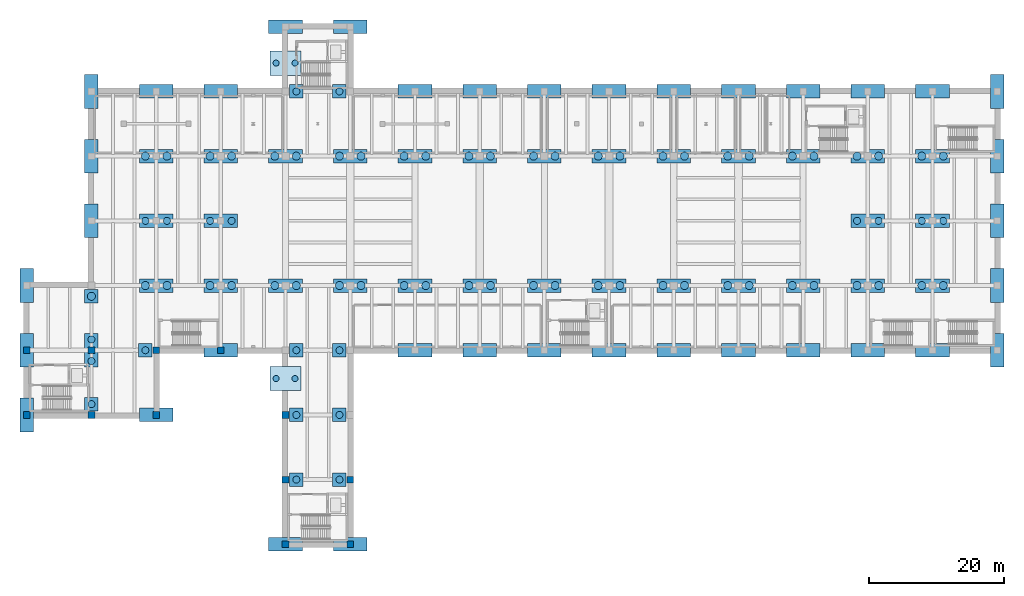
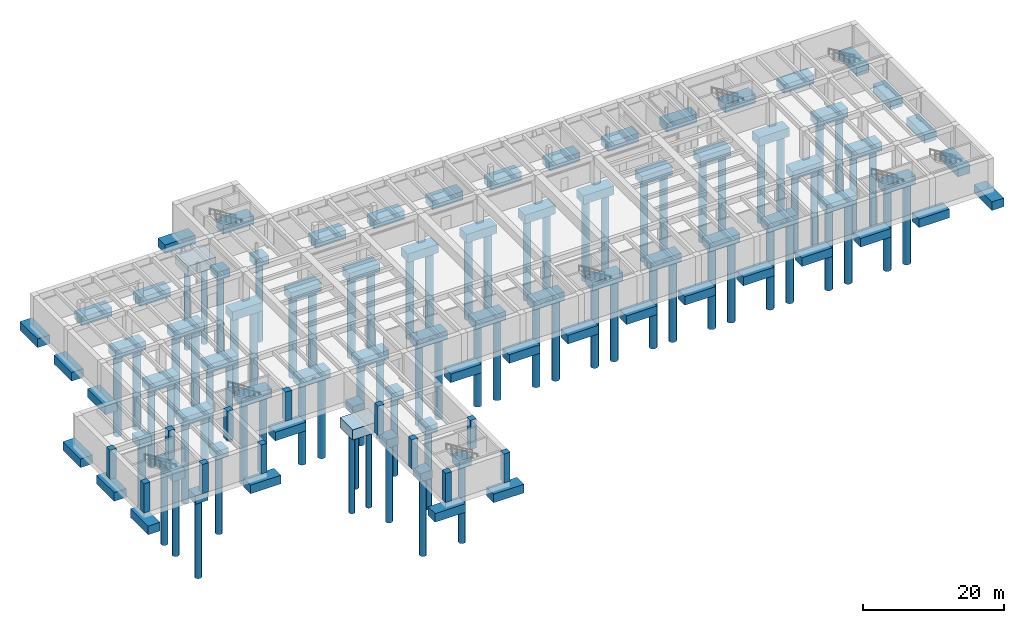
# One storey, part 1 of 24: 81 footings, 77 piles, 12 columns.
"""IFC4 building model written with IfcOpenShell, lengths in metres."""

from ifc_helpers import new_model, si_unit, direction, frame, origin, origin_2d, place, context, subcontext, project, spatial, rectangle, circle, extrude, material, material_profile, profile_set, type_object, element, save


model = new_model("IFC4")

# Units and contexts
model_context = context("Model", 3, precision=1e-05, world=origin(), true_north=direction((0.0, 1.0)))
body_context = subcontext(model_context, "Body", "Model", "MODEL_VIEW")
ifc_project = project(units=[si_unit("LENGTHUNIT", "METRE"), si_unit("AREAUNIT", "SQUARE_METRE"), si_unit("VOLUMEUNIT", "CUBIC_METRE"), si_unit("PLANEANGLEUNIT", "RADIAN"), si_unit("MASSUNIT", "GRAM", prefix="KILO")], contexts=[model_context])

# Site, building, storey
site_placement = place(None, origin())
site = spatial("IfcSite", under=ifc_project, at=site_placement, CompositionType="ELEMENT")
building_placement = place(site_placement, origin())
building = spatial("IfcBuilding", under=site, at=building_placement, Name="Coralgate Yard Interchange", CompositionType="ELEMENT")
storey_placement = place(building_placement, frame((0.0, 0.0, -10.800048828125)))
storey = spatial("IfcBuildingStorey", under=building, at=storey_placement, Name="B2", CompositionType="ELEMENT", Elevation=-10.800048828125)

# Footings
ifc_material_1 = material(Name="Concrete C40/50", Category="concrete")
footing_type_1 = type_object("IfcFootingType", Name="FTG-PC-1A", PredefinedType="PILE_CAP", material=ifc_material_1)
for number, where, z_axis, x_axis, name in (
    (1, (19.199951171875, 30.39990234375, -2.35009765625), (0.0, 0.0, 1.0), (1.0, 0.0, 0.0), "B2 sub-raft pile cap 2-3"),
    (2, (19.199951171875, 46.39990234375, -2.35009765625), (0.0, 0.0, 1.0), (1.0, 0.0, 0.0), "B2 sub-raft pile cap 2-5"),
    (3, (27.199951171875, 38.39990234375, -2.35009765625), (0.0, 0.0, 1.0), (1.0, 0.0, 0.0), "B2 sub-raft pile cap 3-4"),
    (4, (49.60009765625, 19.199951171875, -2.35009765625), (0.0, 0.0, 1.0), (1.0, 0.0, 0.0), "B2 sub-raft pile cap 5-2"),
    (5, (49.60009765625, 28.800048828125, -2.35009765625), (0.0, 0.0, 1.0), (1.0, 0.0, 0.0), "B2 sub-raft pile cap 5-3"),
    (6, (49.60009765625, 38.39990234375, -2.35009765625), (0.0, 0.0, 1.0), (1.0, 0.0, 0.0), "B2 sub-raft pile cap 5-4"),
    (7, (49.60009765625, 76.800048828125, -2.35009765625), (0.0, 0.0, 1.0), (1.0, 0.0, 0.0), "B2 sub-raft pile cap 5-8"),
    (8, (56.0, 19.199951171875, -2.35009765625), (0.0, 0.0, 1.0), (1.0, 0.0, 0.0), "B2 sub-raft pile cap 6-2"),
    (9, (56.0, 28.800048828125, -2.35009765625), (0.0, 0.0, 1.0), (1.0, 0.0, 0.0), "B2 sub-raft pile cap 6-3"),
    (10, (56.0, 38.39990234375, -2.35009765625), (0.0, 0.0, 1.0), (1.0, 0.0, 0.0), "B2 sub-raft pile cap 6-4"),
    (11, (56.0, 76.800048828125, -2.35009765625), (0.0, 0.0, 1.0), (1.0, 0.0, 0.0), "B2 sub-raft pile cap 6-8"),
):
    element("IfcFooting", number, at=place(storey_placement, frame(where, z_axis=z_axis, x_axis=x_axis)), inside=storey, type_object=footing_type_1, Name=name, PredefinedType="PILE_CAP", context=body_context, shape_type="SweptSolid", body=[
        extrude(rectangle(XDim=2.0, YDim=2.0, at=origin_2d()), origin(), (0.0, 0.0, 1.0), 1.449951171875),
    ])
footing_type_2 = type_object("IfcFootingType", Name="FTG-PC-6B", PredefinedType="PILE_CAP", material=ifc_material_1)
for number, where, z_axis, x_axis, name in (
    (12, (48.0, 34.199951171875, -2.64990234375), (0.0, 0.0, 1.0), (1.0, 0.0, 0.0), "Arch AR-1 S thrust pile cap"),
    (13, (48.0, 81.0, -2.64990234375), (0.0, 0.0, 1.0), (1.0, 0.0, 0.0), "Arch AR-1 N thrust pile cap"),
):
    element("IfcFooting", number, at=place(storey_placement, frame(where, z_axis=z_axis, x_axis=x_axis)), inside=storey, type_object=footing_type_2, Name=name, PredefinedType="PILE_CAP", context=body_context, shape_type="SweptSolid", body=[
        extrude(rectangle(XDim=4.60009765625, YDim=3.60009765625, at=origin_2d()), origin(), (0.0, 0.0, 1.0), 1.75),
    ])
footing_type_3 = type_object("IfcFootingType", Name="FTG-PC-8A", PredefinedType="PILE_CAP", material=ifc_material_1)
for number, where, z_axis, x_axis, name in (
    (14, (28.800048828125, 28.800048828125, -2.39990234375), (0.0, 0.0, 1.0), (1.0, 0.0, 0.0), "B2 sub-raft pile cap 3-3"),
    (15, (28.800048828125, 48.0, -2.39990234375), (0.0, 0.0, 1.0), (1.0, 0.0, 0.0), "B2 sub-raft pile cap 3-5"),
    (16, (28.800048828125, 57.60009765625, -2.39990234375), (0.0, 0.0, 1.0), (1.0, 0.0, 0.0), "B2 sub-raft pile cap 3-6"),
    (17, (28.800048828125, 67.199951171875, -2.39990234375), (0.0, 0.0, 1.0), (1.0, 0.0, 0.0), "B2 sub-raft pile cap 3-7"),
    (18, (28.800048828125, 76.800048828125, -2.39990234375), (0.0, 0.0, 1.0), (1.0, 0.0, 0.0), "B2 sub-raft pile cap 3-8"),
    (19, (38.39990234375, 38.39990234375, -2.39990234375), (0.0, 0.0, 1.0), (1.0, 0.0, 0.0), "B2 sub-raft pile cap 4-4"),
    (20, (38.39990234375, 48.0, -2.39990234375), (0.0, 0.0, 1.0), (1.0, 0.0, 0.0), "B2 sub-raft pile cap 4-5"),
    (21, (38.39990234375, 57.60009765625, -2.39990234375), (0.0, 0.0, 1.0), (1.0, 0.0, 0.0), "B2 sub-raft pile cap 4-6"),
    (22, (38.39990234375, 67.199951171875, -2.39990234375), (0.0, 0.0, 1.0), (1.0, 0.0, 0.0), "B2 sub-raft pile cap 4-7"),
    (23, (38.39990234375, 76.800048828125, -2.39990234375), (0.0, 0.0, 1.0), (1.0, 0.0, 0.0), "B2 sub-raft pile cap 4-8"),
    (24, (48.0, 9.60009765625, -2.39990234375), (0.0, 0.0, 1.0), (1.0, 0.0, 0.0), "B2 sub-raft pile cap 5-1"),
    (25, (48.0, 48.0, -2.39990234375), (0.0, 0.0, 1.0), (1.0, 0.0, 0.0), "B2 sub-raft pile cap 5-5"),
    (26, (48.0, 67.199951171875, -2.39990234375), (0.0, 0.0, 1.0), (1.0, 0.0, 0.0), "B2 sub-raft pile cap 5-7"),
    (27, (48.0, 86.39990234375, -2.39990234375), (0.0, 0.0, 1.0), (1.0, 0.0, 0.0), "B2 sub-raft pile cap 5-9"),
    (28, (57.60009765625, 9.60009765625, -2.39990234375), (0.0, 0.0, 1.0), (1.0, 0.0, 0.0), "B2 sub-raft pile cap 6-1"),
    (29, (57.60009765625, 48.0, -2.39990234375), (0.0, 0.0, 1.0), (1.0, 0.0, 0.0), "B2 sub-raft pile cap 6-5"),
    (30, (57.60009765625, 67.199951171875, -2.39990234375), (0.0, 0.0, 1.0), (1.0, 0.0, 0.0), "B2 sub-raft pile cap 6-7"),
    (31, (57.60009765625, 86.39990234375, -2.39990234375), (0.0, 0.0, 1.0), (1.0, 0.0, 0.0), "B2 sub-raft pile cap 6-9"),
    (32, (67.199951171875, 38.39990234375, -2.39990234375), (0.0, 0.0, 1.0), (1.0, 0.0, 0.0), "B2 sub-raft pile cap 7-4"),
    (33, (67.199951171875, 48.0, -2.39990234375), (0.0, 0.0, 1.0), (1.0, 0.0, 0.0), "B2 sub-raft pile cap 7-5"),
    (34, (67.199951171875, 67.199951171875, -2.39990234375), (0.0, 0.0, 1.0), (1.0, 0.0, 0.0), "B2 sub-raft pile cap 7-7"),
    (35, (67.199951171875, 76.800048828125, -2.39990234375), (0.0, 0.0, 1.0), (1.0, 0.0, 0.0), "B2 sub-raft pile cap 7-8"),
    (36, (76.800048828125, 38.39990234375, -2.39990234375), (0.0, 0.0, 1.0), (1.0, 0.0, 0.0), "B2 sub-raft pile cap 8-4"),
    (37, (76.800048828125, 48.0, -2.39990234375), (0.0, 0.0, 1.0), (1.0, 0.0, 0.0), "B2 sub-raft pile cap 8-5"),
    (38, (76.800048828125, 67.199951171875, -2.39990234375), (0.0, 0.0, 1.0), (1.0, 0.0, 0.0), "B2 sub-raft pile cap 8-7"),
    (39, (76.800048828125, 76.800048828125, -2.39990234375), (0.0, 0.0, 1.0), (1.0, 0.0, 0.0), "B2 sub-raft pile cap 8-8"),
    (40, (86.39990234375, 38.39990234375, -2.39990234375), (0.0, 0.0, 1.0), (1.0, 0.0, 0.0), "B2 sub-raft pile cap 9-4"),
    (41, (86.39990234375, 48.0, -2.39990234375), (0.0, 0.0, 1.0), (1.0, 0.0, 0.0), "B2 sub-raft pile cap 9-5"),
    (42, (86.39990234375, 67.199951171875, -2.39990234375), (0.0, 0.0, 1.0), (1.0, 0.0, 0.0), "B2 sub-raft pile cap 9-7"),
    (43, (86.39990234375, 76.800048828125, -2.39990234375), (0.0, 0.0, 1.0), (1.0, 0.0, 0.0), "B2 sub-raft pile cap 9-8"),
    (44, (96.0, 38.39990234375, -2.39990234375), (0.0, 0.0, 1.0), (1.0, 0.0, 0.0), "B2 sub-raft pile cap 10-4"),
    (45, (96.0, 48.0, -2.39990234375), (0.0, 0.0, 1.0), (1.0, 0.0, 0.0), "B2 sub-raft pile cap 10-5"),
    (46, (96.0, 67.199951171875, -2.39990234375), (0.0, 0.0, 1.0), (1.0, 0.0, 0.0), "B2 sub-raft pile cap 10-7"),
    (47, (96.0, 76.800048828125, -2.39990234375), (0.0, 0.0, 1.0), (1.0, 0.0, 0.0), "B2 sub-raft pile cap 10-8"),
    (48, (105.60009765625, 38.39990234375, -2.39990234375), (0.0, 0.0, 1.0), (1.0, 0.0, 0.0), "B2 sub-raft pile cap 11-4"),
    (49, (105.60009765625, 48.0, -2.39990234375), (0.0, 0.0, 1.0), (1.0, 0.0, 0.0), "B2 sub-raft pile cap 11-5"),
    (50, (105.60009765625, 67.199951171875, -2.39990234375), (0.0, 0.0, 1.0), (1.0, 0.0, 0.0), "B2 sub-raft pile cap 11-7"),
    (51, (105.60009765625, 76.800048828125, -2.39990234375), (0.0, 0.0, 1.0), (1.0, 0.0, 0.0), "B2 sub-raft pile cap 11-8"),
    (52, (115.199951171875, 38.39990234375, -2.39990234375), (0.0, 0.0, 1.0), (1.0, 0.0, 0.0), "B2 sub-raft pile cap 12-4"),
    (53, (115.199951171875, 48.0, -2.39990234375), (0.0, 0.0, 1.0), (1.0, 0.0, 0.0), "B2 sub-raft pile cap 12-5"),
    (54, (115.199951171875, 67.199951171875, -2.39990234375), (0.0, 0.0, 1.0), (1.0, 0.0, 0.0), "B2 sub-raft pile cap 12-7"),
    (55, (115.199951171875, 76.800048828125, -2.39990234375), (0.0, 0.0, 1.0), (1.0, 0.0, 0.0), "B2 sub-raft pile cap 12-8"),
    (56, (124.800048828125, 38.39990234375, -2.39990234375), (0.0, 0.0, 1.0), (1.0, 0.0, 0.0), "B2 sub-raft pile cap 13-4"),
    (57, (124.800048828125, 48.0, -2.39990234375), (0.0, 0.0, 1.0), (1.0, 0.0, 0.0), "B2 sub-raft pile cap 13-5"),
    (58, (124.800048828125, 67.199951171875, -2.39990234375), (0.0, 0.0, 1.0), (1.0, 0.0, 0.0), "B2 sub-raft pile cap 13-7"),
    (59, (124.800048828125, 76.800048828125, -2.39990234375), (0.0, 0.0, 1.0), (1.0, 0.0, 0.0), "B2 sub-raft pile cap 13-8"),
    (60, (134.39990234375, 38.39990234375, -2.39990234375), (0.0, 0.0, 1.0), (1.0, 0.0, 0.0), "B2 sub-raft pile cap 14-4"),
    (61, (134.39990234375, 48.0, -2.39990234375), (0.0, 0.0, 1.0), (1.0, 0.0, 0.0), "B2 sub-raft pile cap 14-5"),
    (62, (134.39990234375, 57.60009765625, -2.39990234375), (0.0, 0.0, 1.0), (1.0, 0.0, 0.0), "B2 sub-raft pile cap 14-6"),
    (63, (134.39990234375, 67.199951171875, -2.39990234375), (0.0, 0.0, 1.0), (1.0, 0.0, 0.0), "B2 sub-raft pile cap 14-7"),
    (64, (134.39990234375, 76.800048828125, -2.39990234375), (0.0, 0.0, 1.0), (1.0, 0.0, 0.0), "B2 sub-raft pile cap 14-8"),
    (65, (144.0, 38.39990234375, -2.39990234375), (0.0, 0.0, 1.0), (1.0, 0.0, 0.0), "B2 sub-raft pile cap 15-4"),
    (66, (144.0, 48.0, -2.39990234375), (0.0, 0.0, 1.0), (1.0, 0.0, 0.0), "B2 sub-raft pile cap 15-5"),
    (67, (144.0, 57.60009765625, -2.39990234375), (0.0, 0.0, 1.0), (1.0, 0.0, 0.0), "B2 sub-raft pile cap 15-6"),
    (68, (144.0, 67.199951171875, -2.39990234375), (0.0, 0.0, 1.0), (1.0, 0.0, 0.0), "B2 sub-raft pile cap 15-7"),
    (69, (144.0, 76.800048828125, -2.39990234375), (0.0, 0.0, 1.0), (1.0, 0.0, 0.0), "B2 sub-raft pile cap 15-8"),
):
    element("IfcFooting", number, at=place(storey_placement, frame(where, z_axis=z_axis, x_axis=x_axis)), inside=storey, type_object=footing_type_3, Name=name, PredefinedType="PILE_CAP", context=body_context, shape_type="SweptSolid", body=[
        extrude(rectangle(XDim=5.0, YDim=2.0, at=origin_2d()), origin(), (0.0, 0.0, 1.0), 1.5),
    ])
footing_type_4 = type_object("IfcFootingType", Name="FTG-PC-8B", PredefinedType="PILE_CAP", material=ifc_material_1)
for number, where, z_axis, x_axis, name in (
    (70, (9.60009765625, 28.800048828125, -2.39990234375), (0.0, 0.0, 1.0), (1.0, 0.0, 0.0), "B2 sub-raft pile cap 1-3"),
    (71, (9.60009765625, 38.39990234375, -2.39990234375), (0.0, 0.0, 1.0), (1.0, 0.0, 0.0), "B2 sub-raft pile cap 1-4"),
    (72, (9.60009765625, 48.0, -2.39990234375), (0.0, 0.0, 1.0), (1.0, 0.0, 0.0), "B2 sub-raft pile cap 1-5"),
    (73, (19.199951171875, 38.39990234375, -2.39990234375), (0.0, 0.0, 1.0), (1.0, 0.0, 0.0), "B2 sub-raft pile cap 2-4"),
    (74, (19.199951171875, 57.60009765625, -2.39990234375), (0.0, 0.0, 1.0), (1.0, 0.0, 0.0), "B2 sub-raft pile cap 2-6"),
    (75, (19.199951171875, 67.199951171875, -2.39990234375), (0.0, 0.0, 1.0), (1.0, 0.0, 0.0), "B2 sub-raft pile cap 2-7"),
    (76, (19.199951171875, 76.800048828125, -2.39990234375), (0.0, 0.0, 1.0), (1.0, 0.0, 0.0), "B2 sub-raft pile cap 2-8"),
    (77, (153.60009765625, 38.39990234375, -2.39990234375), (0.0, 0.0, 1.0), (1.0, 0.0, 0.0), "B2 sub-raft pile cap 16-4"),
    (78, (153.60009765625, 48.0, -2.39990234375), (0.0, 0.0, 1.0), (1.0, 0.0, 0.0), "B2 sub-raft pile cap 16-5"),
    (79, (153.60009765625, 57.60009765625, -2.39990234375), (0.0, 0.0, 1.0), (1.0, 0.0, 0.0), "B2 sub-raft pile cap 16-6"),
    (80, (153.60009765625, 67.199951171875, -2.39990234375), (0.0, 0.0, 1.0), (1.0, 0.0, 0.0), "B2 sub-raft pile cap 16-7"),
    (81, (153.60009765625, 76.800048828125, -2.39990234375), (0.0, 0.0, 1.0), (1.0, 0.0, 0.0), "B2 sub-raft pile cap 16-8"),
):
    element("IfcFooting", number, at=place(storey_placement, frame(where, z_axis=z_axis, x_axis=x_axis)), inside=storey, type_object=footing_type_4, Name=name, PredefinedType="PILE_CAP", context=body_context, shape_type="SweptSolid", body=[
        extrude(rectangle(XDim=2.0, YDim=5.0, at=origin_2d()), origin(), (0.0, 0.0, 1.0), 1.5),
    ])

# Piles
ifc_material_2 = material(Name="Concrete C35/45", Category="concrete")
ifc_material_profile_1 = material_profile(ifc_material_2, circle(Radius=0.52490234375, at=origin_2d()), Name="BORED PILE D1050")
ifc_profile_set_1 = profile_set([ifc_material_profile_1], Name="Concrete C35/45")
pile_type_1 = type_object("IfcPileType", Name="PILE-P-1050", PredefinedType="BORED", material=ifc_profile_set_1)
for number, where, z_axis, x_axis, name in (
    (82, (19.199951171875, 30.39990234375, -2.25), (0.0, 0.0, -1.0), (1.0, 0.0, 0.0), "Bored pile 2-3-1"),
    (83, (19.199951171875, 36.800048828125, -2.300048828125), (0.0, 0.0, -1.0), (1.0, 0.0, 0.0), "Bored pile 2-4-1"),
    (84, (19.199951171875, 40.0, -2.300048828125), (0.0, 0.0, -1.0), (1.0, 0.0, 0.0), "Bored pile 2-4-2"),
    (85, (27.199951171875, 38.39990234375, -2.25), (0.0, 0.0, -1.0), (1.0, 0.0, 0.0), "Bored pile 3-4-1"),
    (86, (27.199951171875, 57.60009765625, -2.300048828125), (0.0, 0.0, -1.0), (1.0, 0.0, 0.0), "Bored pile 3-6-1"),
    (87, (30.39990234375, 57.60009765625, -2.300048828125), (0.0, 0.0, -1.0), (1.0, 0.0, 0.0), "Bored pile 3-6-2"),
    (88, (36.800048828125, 57.60009765625, -2.300048828125), (0.0, 0.0, -1.0), (1.0, 0.0, 0.0), "Bored pile 4-6-1"),
    (89, (40.0, 57.60009765625, -2.300048828125), (0.0, 0.0, -1.0), (1.0, 0.0, 0.0), "Bored pile 4-6-2"),
    (90, (49.60009765625, 19.199951171875, -2.25), (0.0, 0.0, -1.0), (1.0, 0.0, 0.0), "Bored pile 5-2-1"),
    (91, (49.60009765625, 28.800048828125, -2.25), (0.0, 0.0, -1.0), (1.0, 0.0, 0.0), "Bored pile 5-3-1"),
    (92, (49.60009765625, 38.39990234375, -2.25), (0.0, 0.0, -1.0), (1.0, 0.0, 0.0), "Bored pile 5-4-1"),
    (93, (49.60009765625, 76.800048828125, -2.25), (0.0, 0.0, -1.0), (1.0, 0.0, 0.0), "Bored pile 5-8-1"),
    (94, (56.0, 19.199951171875, -2.25), (0.0, 0.0, -1.0), (1.0, 0.0, 0.0), "Bored pile 6-2-1"),
    (95, (56.0, 28.800048828125, -2.25), (0.0, 0.0, -1.0), (1.0, 0.0, 0.0), "Bored pile 6-3-1"),
    (96, (56.0, 38.39990234375, -2.25), (0.0, 0.0, -1.0), (1.0, 0.0, 0.0), "Bored pile 6-4-1"),
    (97, (56.0, 76.800048828125, -2.25), (0.0, 0.0, -1.0), (1.0, 0.0, 0.0), "Bored pile 6-8-1"),
    (98, (132.800048828125, 57.60009765625, -2.300048828125), (0.0, 0.0, -1.0), (1.0, 0.0, 0.0), "Bored pile 14-6-1"),
    (99, (136.0, 57.60009765625, -2.300048828125), (0.0, 0.0, -1.0), (1.0, 0.0, 0.0), "Bored pile 14-6-2"),
    (100, (142.39990234375, 57.60009765625, -2.300048828125), (0.0, 0.0, -1.0), (1.0, 0.0, 0.0), "Bored pile 15-6-1"),
    (101, (145.60009765625, 57.60009765625, -2.300048828125), (0.0, 0.0, -1.0), (1.0, 0.0, 0.0), "Bored pile 15-6-2"),
):
    element("IfcPile", number, at=place(storey_placement, frame(where, z_axis=z_axis, x_axis=x_axis)), inside=storey, type_object=pile_type_1, Name=name, PredefinedType="BORED", context=body_context, shape_type="SweptSolid", body=[
        extrude(circle(Radius=0.52490234375, at=origin_2d()), origin(), (0.0, 0.0, 1.0), 13.60009765625),
    ])
ifc_material_profile_2 = material_profile(ifc_material_2, circle(Radius=0.60009765625, at=origin_2d()), Name="BORED PILE D1200")
ifc_profile_set_2 = profile_set([ifc_material_profile_2], Name="Concrete C35/45")
pile_type_2 = type_object("IfcPileType", Name="PILE-P-1200", PredefinedType="BORED", material=ifc_profile_set_2)
for number, where, z_axis, x_axis, name in (
    (102, (19.199951171875, 46.39990234375, -2.25), (0.0, 0.0, -1.0), (1.0, 0.0, 0.0), "Bored pile 2-5-1"),
    (103, (27.199951171875, 48.0, -2.300048828125), (0.0, 0.0, -1.0), (1.0, 0.0, 0.0), "Bored pile 3-5-1"),
    (104, (30.39990234375, 48.0, -2.300048828125), (0.0, 0.0, -1.0), (1.0, 0.0, 0.0), "Bored pile 3-5-2"),
    (105, (27.199951171875, 67.199951171875, -2.300048828125), (0.0, 0.0, -1.0), (1.0, 0.0, 0.0), "Bored pile 3-7-1"),
    (106, (30.39990234375, 67.199951171875, -2.300048828125), (0.0, 0.0, -1.0), (1.0, 0.0, 0.0), "Bored pile 3-7-2"),
    (107, (36.800048828125, 48.0, -2.300048828125), (0.0, 0.0, -1.0), (1.0, 0.0, 0.0), "Bored pile 4-5-1"),
    (108, (40.0, 48.0, -2.300048828125), (0.0, 0.0, -1.0), (1.0, 0.0, 0.0), "Bored pile 4-5-2"),
    (109, (36.800048828125, 67.199951171875, -2.300048828125), (0.0, 0.0, -1.0), (1.0, 0.0, 0.0), "Bored pile 4-7-1"),
    (110, (40.0, 67.199951171875, -2.300048828125), (0.0, 0.0, -1.0), (1.0, 0.0, 0.0), "Bored pile 4-7-2"),
    (111, (46.39990234375, 48.0, -2.300048828125), (0.0, 0.0, -1.0), (1.0, 0.0, 0.0), "Bored pile 5-5-1"),
    (112, (49.60009765625, 48.0, -2.300048828125), (0.0, 0.0, -1.0), (1.0, 0.0, 0.0), "Bored pile 5-5-2"),
    (113, (46.39990234375, 67.199951171875, -2.300048828125), (0.0, 0.0, -1.0), (1.0, 0.0, 0.0), "Bored pile 5-7-1"),
    (114, (49.60009765625, 67.199951171875, -2.300048828125), (0.0, 0.0, -1.0), (1.0, 0.0, 0.0), "Bored pile 5-7-2"),
    (115, (56.0, 48.0, -2.300048828125), (0.0, 0.0, -1.0), (1.0, 0.0, 0.0), "Bored pile 6-5-1"),
    (116, (59.199951171875, 48.0, -2.300048828125), (0.0, 0.0, -1.0), (1.0, 0.0, 0.0), "Bored pile 6-5-2"),
    (117, (56.0, 67.199951171875, -2.300048828125), (0.0, 0.0, -1.0), (1.0, 0.0, 0.0), "Bored pile 6-7-1"),
    (118, (59.199951171875, 67.199951171875, -2.300048828125), (0.0, 0.0, -1.0), (1.0, 0.0, 0.0), "Bored pile 6-7-2"),
    (119, (65.60009765625, 48.0, -2.300048828125), (0.0, 0.0, -1.0), (1.0, 0.0, 0.0), "Bored pile 7-5-1"),
    (120, (68.800048828125, 48.0, -2.300048828125), (0.0, 0.0, -1.0), (1.0, 0.0, 0.0), "Bored pile 7-5-2"),
    (121, (65.60009765625, 67.199951171875, -2.300048828125), (0.0, 0.0, -1.0), (1.0, 0.0, 0.0), "Bored pile 7-7-1"),
    (122, (68.800048828125, 67.199951171875, -2.300048828125), (0.0, 0.0, -1.0), (1.0, 0.0, 0.0), "Bored pile 7-7-2"),
    (123, (75.199951171875, 48.0, -2.300048828125), (0.0, 0.0, -1.0), (1.0, 0.0, 0.0), "Bored pile 8-5-1"),
    (124, (78.39990234375, 48.0, -2.300048828125), (0.0, 0.0, -1.0), (1.0, 0.0, 0.0), "Bored pile 8-5-2"),
    (125, (75.199951171875, 67.199951171875, -2.300048828125), (0.0, 0.0, -1.0), (1.0, 0.0, 0.0), "Bored pile 8-7-1"),
    (126, (78.39990234375, 67.199951171875, -2.300048828125), (0.0, 0.0, -1.0), (1.0, 0.0, 0.0), "Bored pile 8-7-2"),
    (127, (84.800048828125, 48.0, -2.300048828125), (0.0, 0.0, -1.0), (1.0, 0.0, 0.0), "Bored pile 9-5-1"),
    (128, (88.0, 48.0, -2.300048828125), (0.0, 0.0, -1.0), (1.0, 0.0, 0.0), "Bored pile 9-5-2"),
    (129, (84.800048828125, 67.199951171875, -2.300048828125), (0.0, 0.0, -1.0), (1.0, 0.0, 0.0), "Bored pile 9-7-1"),
    (130, (88.0, 67.199951171875, -2.300048828125), (0.0, 0.0, -1.0), (1.0, 0.0, 0.0), "Bored pile 9-7-2"),
    (131, (94.39990234375, 48.0, -2.300048828125), (0.0, 0.0, -1.0), (1.0, 0.0, 0.0), "Bored pile 10-5-1"),
    (132, (97.60009765625, 48.0, -2.300048828125), (0.0, 0.0, -1.0), (1.0, 0.0, 0.0), "Bored pile 10-5-2"),
    (133, (94.39990234375, 67.199951171875, -2.300048828125), (0.0, 0.0, -1.0), (1.0, 0.0, 0.0), "Bored pile 10-7-1"),
    (134, (97.60009765625, 67.199951171875, -2.300048828125), (0.0, 0.0, -1.0), (1.0, 0.0, 0.0), "Bored pile 10-7-2"),
    (135, (104.0, 48.0, -2.300048828125), (0.0, 0.0, -1.0), (1.0, 0.0, 0.0), "Bored pile 11-5-1"),
    (136, (107.199951171875, 48.0, -2.300048828125), (0.0, 0.0, -1.0), (1.0, 0.0, 0.0), "Bored pile 11-5-2"),
    (137, (104.0, 67.199951171875, -2.300048828125), (0.0, 0.0, -1.0), (1.0, 0.0, 0.0), "Bored pile 11-7-1"),
    (138, (107.199951171875, 67.199951171875, -2.300048828125), (0.0, 0.0, -1.0), (1.0, 0.0, 0.0), "Bored pile 11-7-2"),
    (139, (113.60009765625, 48.0, -2.300048828125), (0.0, 0.0, -1.0), (1.0, 0.0, 0.0), "Bored pile 12-5-1"),
    (140, (116.800048828125, 48.0, -2.300048828125), (0.0, 0.0, -1.0), (1.0, 0.0, 0.0), "Bored pile 12-5-2"),
    (141, (113.60009765625, 67.199951171875, -2.300048828125), (0.0, 0.0, -1.0), (1.0, 0.0, 0.0), "Bored pile 12-7-1"),
    (142, (116.800048828125, 67.199951171875, -2.300048828125), (0.0, 0.0, -1.0), (1.0, 0.0, 0.0), "Bored pile 12-7-2"),
    (143, (123.199951171875, 48.0, -2.300048828125), (0.0, 0.0, -1.0), (1.0, 0.0, 0.0), "Bored pile 13-5-1"),
    (144, (126.39990234375, 48.0, -2.300048828125), (0.0, 0.0, -1.0), (1.0, 0.0, 0.0), "Bored pile 13-5-2"),
    (145, (123.199951171875, 67.199951171875, -2.300048828125), (0.0, 0.0, -1.0), (1.0, 0.0, 0.0), "Bored pile 13-7-1"),
    (146, (126.39990234375, 67.199951171875, -2.300048828125), (0.0, 0.0, -1.0), (1.0, 0.0, 0.0), "Bored pile 13-7-2"),
    (147, (132.800048828125, 48.0, -2.300048828125), (0.0, 0.0, -1.0), (1.0, 0.0, 0.0), "Bored pile 14-5-1"),
    (148, (136.0, 48.0, -2.300048828125), (0.0, 0.0, -1.0), (1.0, 0.0, 0.0), "Bored pile 14-5-2"),
    (149, (132.800048828125, 67.199951171875, -2.300048828125), (0.0, 0.0, -1.0), (1.0, 0.0, 0.0), "Bored pile 14-7-1"),
    (150, (136.0, 67.199951171875, -2.300048828125), (0.0, 0.0, -1.0), (1.0, 0.0, 0.0), "Bored pile 14-7-2"),
    (151, (142.39990234375, 48.0, -2.300048828125), (0.0, 0.0, -1.0), (1.0, 0.0, 0.0), "Bored pile 15-5-1"),
    (152, (145.60009765625, 48.0, -2.300048828125), (0.0, 0.0, -1.0), (1.0, 0.0, 0.0), "Bored pile 15-5-2"),
    (153, (142.39990234375, 67.199951171875, -2.300048828125), (0.0, 0.0, -1.0), (1.0, 0.0, 0.0), "Bored pile 15-7-1"),
    (154, (145.60009765625, 67.199951171875, -2.300048828125), (0.0, 0.0, -1.0), (1.0, 0.0, 0.0), "Bored pile 15-7-2"),
):
    element("IfcPile", number, at=place(storey_placement, frame(where, z_axis=z_axis, x_axis=x_axis)), inside=storey, type_object=pile_type_2, Name=name, PredefinedType="BORED", context=body_context, shape_type="SweptSolid", body=[
        extrude(circle(Radius=0.60009765625, at=origin_2d()), origin(), (0.0, 0.0, 1.0), 14.0),
    ])
ifc_material_profile_3 = material_profile(ifc_material_2, circle(Radius=0.449951171875, at=origin_2d()), Name="BORED PILE D900")
ifc_profile_set_3 = profile_set([ifc_material_profile_3], Name="Concrete C35/45")
pile_type_3 = type_object("IfcPileType", Name="PILE-P-900", PredefinedType="BORED", material=ifc_profile_set_3)
for number, where, z_axis, x_axis, name in (
    (155, (46.60009765625, 34.199951171875, -2.550048828125), (0.0, 0.0, -1.0), (1.0, 0.0, 0.0), "Arch AR-1 S bored pile 1"),
    (156, (49.39990234375, 34.199951171875, -2.550048828125), (0.0, 0.0, -1.0), (1.0, 0.0, 0.0), "Arch AR-1 S bored pile 2"),
    (157, (46.60009765625, 81.0, -2.550048828125), (0.0, 0.0, -1.0), (1.0, 0.0, 0.0), "Arch AR-1 N bored pile 1"),
    (158, (49.39990234375, 81.0, -2.550048828125), (0.0, 0.0, -1.0), (1.0, 0.0, 0.0), "Arch AR-1 N bored pile 2"),
):
    element("IfcPile", number, at=place(storey_placement, frame(where, z_axis=z_axis, x_axis=x_axis)), inside=storey, type_object=pile_type_3, Name=name, PredefinedType="BORED", context=body_context, shape_type="SweptSolid", body=[
        extrude(circle(Radius=0.449951171875, at=origin_2d()), origin(), (0.0, 0.0, 1.0), 14.0),
    ])

# Columns
ifc_material_profile_4 = material_profile(ifc_material_1, rectangle(XDim=1.0, YDim=1.0, at=origin_2d()), Name="RC 1000x1000")
ifc_profile_set_4 = profile_set([ifc_material_profile_4], Name="Concrete C40/50")
column_type = type_object("IfcColumnType", Name="COL-CC-2", PredefinedType="COLUMN", material=ifc_profile_set_4)
for number, where, z_axis, x_axis, name in (
    (159, (9.60009765625, 28.800048828125, 0.0), (0.0, 0.0, 1.0), (1.0, 0.0, 0.0), "B2 structural column 1-3"),
    (160, (9.60009765625, 38.39990234375, 0.0), (0.0, 0.0, 1.0), (1.0, 0.0, 0.0), "B2 structural column 1-4"),
    (161, (19.199951171875, 28.800048828125, 0.0), (0.0, 0.0, 1.0), (1.0, 0.0, 0.0), "B2 structural column 2-3"),
    (162, (19.199951171875, 38.39990234375, 0.0), (0.0, 0.0, 1.0), (1.0, 0.0, 0.0), "B2 structural column 2-4"),
    (163, (28.800048828125, 28.800048828125, 0.0), (0.0, 0.0, 1.0), (1.0, 0.0, 0.0), "B2 structural column 3-3"),
    (164, (28.800048828125, 38.39990234375, 0.0), (0.0, 0.0, 1.0), (1.0, 0.0, 0.0), "B2 structural column 3-4"),
    (165, (38.39990234375, 38.39990234375, 0.0), (0.0, 0.0, 1.0), (1.0, 0.0, 0.0), "B2 structural column 4-4"),
    (166, (48.0, 9.60009765625, 0.0), (0.0, 0.0, 1.0), (1.0, 0.0, 0.0), "B2 structural column 5-1"),
    (167, (48.0, 19.199951171875, 0.0), (0.0, 0.0, 1.0), (1.0, 0.0, 0.0), "B2 structural column 5-2"),
    (168, (48.0, 28.800048828125, 0.0), (0.0, 0.0, 1.0), (1.0, 0.0, 0.0), "B2 structural column 5-3"),
    (169, (57.60009765625, 9.60009765625, 0.0), (0.0, 0.0, 1.0), (1.0, 0.0, 0.0), "B2 structural column 6-1"),
    (170, (57.60009765625, 19.199951171875, 0.0), (0.0, 0.0, 1.0), (1.0, 0.0, 0.0), "B2 structural column 6-2"),
):
    element("IfcColumn", number, at=place(storey_placement, frame(where, z_axis=z_axis, x_axis=x_axis)), inside=storey, type_object=column_type, Name=name, PredefinedType="COLUMN", context=body_context, shape_type="SweptSolid", body=[
        extrude(rectangle(XDim=1.0, YDim=1.0, at=origin_2d()), origin(), (0.0, 0.0, 1.0), 5.050048828125),
    ])

save(model, "model.ifc")
